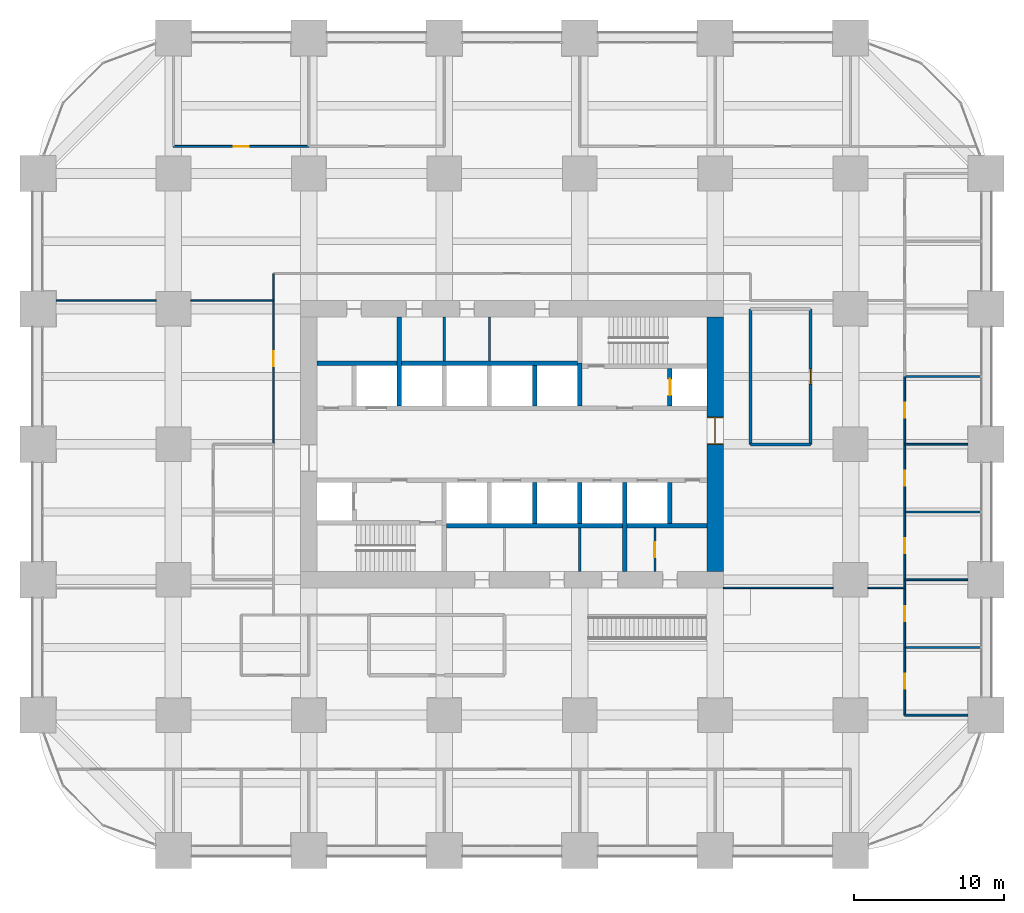
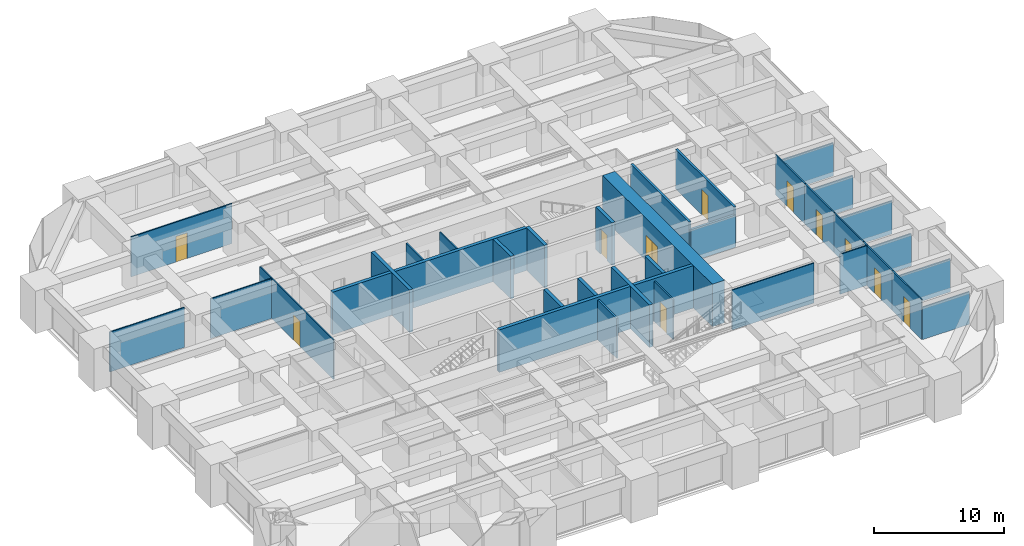
# One storey, part 41 of 45: 35 walls, 11 doors, 11 openings.
"""IFC4 building model written with IfcOpenShell, lengths in metres."""

import ifcopenshell
import ifcopenshell.guid

model = None  # the IFC model being written
_history = None  # IfcOwnerHistory: only IFC2X3 demands one
_inside = {}  # id of a spatial element -> (the spatial element, [elements in it])
_under = {}  # id of a project, library or spatial element -> (it, [spatial elements below it])
_declared = {}  # id of a project -> (the project, [libraries it declares])
_typed = {}  # id of a type object -> (the type object, [elements of that type])
_made_of = {}  # id of a material, layer set ... -> (it, [elements and type objects made of it])


def new_model(schema):
    """Start an empty IFC model of exactly this schema.

    Asked for "IFC4X3", IfcOpenShell would pick the latest addendum, in which some entities
    have other attributes; the version numbers below select the first issue.
    IFC2X3 requires an IfcOwnerHistory on every rooted entity: one is made here for all.
    """
    global model, _history
    if schema == "IFC4X3":
        model = ifcopenshell.file(schema_version=(4, 3, 0, 0))
    else:
        model = ifcopenshell.file(schema=schema)
    _inside.clear()
    _under.clear()
    _declared.clear()
    _typed.clear()
    _made_of.clear()
    _history = None
    if model.schema == "IFC2X3":
        org = make("IfcOrganization", Name="unknown")
        user = make(
            "IfcPersonAndOrganization",
            ThePerson=make("IfcPerson", FamilyName="unknown"),
            TheOrganization=org,
        )
        app = make(
            "IfcApplication",
            ApplicationDeveloper=org,
            Version="unknown",
            ApplicationFullName="unknown",
            ApplicationIdentifier="unknown",
        )
        _history = make(
            "IfcOwnerHistory",
            OwningUser=user,
            OwningApplication=app,
            ChangeAction="ADDED",
            CreationDate=0,
        )
    return model


def make(cls, **values):
    """One entity of the class cls with the attributes given. An attribute that is None is left unset."""
    return model.create_entity(
        cls, **{name: value for name, value in values.items() if value is not None}
    )


def rooted(cls, **values):
    """An entity with a GlobalId (a new one), such as an element, a storey or a relation."""
    return make(cls, GlobalId=ifcopenshell.guid.new(), OwnerHistory=_history, **values)


def si_unit(unit_type, name, prefix=None):
    """IfcSIUnit, for example si_unit("LENGTHUNIT", "METRE", prefix="MILLI")."""
    return make("IfcSIUnit", UnitType=unit_type, Prefix=prefix, Name=name)


def assignment(units):
    """IfcUnitAssignment: the units of a project."""
    return None if units is None else make("IfcUnitAssignment", Units=units)


def point(xyz):
    """IfcCartesianPoint."""
    return None if xyz is None else make("IfcCartesianPoint", Coordinates=xyz)


def direction(xyz):
    """IfcDirection."""
    return None if xyz is None else make("IfcDirection", DirectionRatios=xyz)


def frame(location, z_axis=None, x_axis=None):
    """IfcAxis2Placement3D, a coordinate frame: its origin and axes. An axis left out is left unset."""
    return make(
        "IfcAxis2Placement3D",
        Location=point(location),
        Axis=direction(z_axis),
        RefDirection=direction(x_axis),
    )


def frame_2d(location, x_axis=None):
    """IfcAxis2Placement2D, a coordinate frame in the plane: its origin and x axis."""
    return make(
        "IfcAxis2Placement2D", Location=point(location), RefDirection=direction(x_axis)
    )


def origin():
    """The frame at (0, 0, 0) with its axes left unset."""
    return frame((0.0, 0.0, 0.0))


def place(relative_to, where):
    """IfcLocalPlacement: puts the frame where relative to a parent placement (None: the world)."""
    return make(
        "IfcLocalPlacement", PlacementRelTo=relative_to, RelativePlacement=where
    )


def context(
    kind, dimensions, precision=None, world=None, true_north=None, identifier=None
):
    """IfcGeometricRepresentationContext, for example the 3D "Model" context."""
    return make(
        "IfcGeometricRepresentationContext",
        ContextIdentifier=identifier,
        ContextType=kind,
        CoordinateSpaceDimension=dimensions,
        Precision=precision,
        WorldCoordinateSystem=world,
        TrueNorth=true_north,
    )


def subcontext(parent, identifier, kind, view, scale=None):
    """IfcGeometricRepresentationSubContext, for example "Body" below "Model"."""
    return make(
        "IfcGeometricRepresentationSubContext",
        ContextIdentifier=identifier,
        ContextType=kind,
        ParentContext=parent,
        TargetScale=scale,
        TargetView=view,
    )


def project(units=None, contexts=None):
    """IfcProject with its units and contexts."""
    return rooted(
        "IfcProject",
        Name="project",
        RepresentationContexts=contexts,
        UnitsInContext=assignment(units),
    )


def spatial(cls, under=None, at=None, **own):
    """A site, building, storey or space (cls), placed at a placement, below another one or the project."""
    s = rooted(cls, ObjectPlacement=at, **own)
    if under is not None:
        _under.setdefault(under.id(), (under, []))[1].append(s)
    return s


def profile(cls, at=None, kind="AREA", **sizes):
    """A parametric profile (cls). Its sizes go by their IFC names, for example OverallWidth=200.0."""
    return make(cls, ProfileType=kind, Position=at, **sizes)


def rectangle(**sizes):
    """IfcRectangleProfileDef."""
    return profile("IfcRectangleProfileDef", **sizes)


def extrude(swept, where, along, depth):
    """IfcExtrudedAreaSolid: the profile swept, set in the frame where, extruded along a direction by depth."""
    return make(
        "IfcExtrudedAreaSolid",
        SweptArea=swept,
        Position=where,
        ExtrudedDirection=direction(along),
        Depth=depth,
    )


def shape(context_of_items, identifier, shape_type, items):
    """IfcShapeRepresentation: the items that make up one representation, for example the "Body"."""
    return make(
        "IfcShapeRepresentation",
        ContextOfItems=context_of_items,
        RepresentationIdentifier=identifier,
        RepresentationType=shape_type,
        Items=items,
    )


def material(Name=None, Category=None):
    """IfcMaterial."""
    return make("IfcMaterial", Name=Name, Category=Category)


def layer(
    of_material, thickness, ventilated=None, Name=None, Category=None, Priority=None
):
    """IfcMaterialLayer: one layer of a wall or slab, of a material (None: an air gap)."""
    return make(
        "IfcMaterialLayer",
        Material=of_material,
        LayerThickness=thickness,
        IsVentilated=ventilated,
        Name=Name,
        Category=Category,
        Priority=Priority,
    )


def layer_set(layers, Name=None):
    """IfcMaterialLayerSet."""
    return make("IfcMaterialLayerSet", MaterialLayers=layers, LayerSetName=Name)


def made_of(thing, what):
    """Note that an element or type object is made of a material, layer set ...; save() writes the relation."""
    if what is not None:
        _made_of.setdefault(what.id(), (what, []))[1].append(thing)
    return thing


def type_object(cls, material=None, **own):
    """A type object (cls), such as IfcWallType, which elements share."""
    return made_of(rooted(cls, **own), material)


def element(
    cls,
    number,
    at=None,
    inside=None,
    cuts=None,
    type_object=None,
    material=None,
    context=None,
    identifier="Body",
    shape_type=None,
    held_by="IfcProductDefinitionShape",
    body=None,
    shapes=None,
    **own,
):
    """One element of the class cls, such as IfcWall. Its Tag is "e" and its number.

    at: its placement. inside: the storey or other place that contains it. cuts: it is an
    opening in that element (IfcRelVoidsElement). A single representation is given by context,
    identifier, shape_type and body (its items); several are given by shapes. held_by: the class
    of the entity that holds the representations. save() writes the other relations.
    """
    e = rooted(cls, Tag="e%d" % number, ObjectPlacement=at, **own)
    if body is not None:
        shapes = [shape(context, identifier, shape_type, body)]
    if shapes is not None:
        e.Representation = make(held_by, Representations=shapes)
    if inside is not None:
        _inside.setdefault(inside.id(), (inside, []))[1].append(e)
    if cuts is not None:
        rooted(
            "IfcRelVoidsElement", RelatingBuildingElement=cuts, RelatedOpeningElement=e
        )
    if type_object is not None:
        _typed.setdefault(type_object.id(), (type_object, []))[1].append(e)
    return made_of(e, material)


def fill(opening, filler):
    """IfcRelFillsElement: the door or window that sits in an opening."""
    return rooted(
        "IfcRelFillsElement",
        RelatingOpeningElement=opening,
        RelatedBuildingElement=filler,
    )


def aggregate(whole, parts):
    """IfcRelAggregates: a whole, such as a stair, and the parts it consists of."""
    return rooted("IfcRelAggregates", RelatingObject=whole, RelatedObjects=parts)


def save(model, path):
    """Write the relations noted so far, then the file.

    IfcRelAggregates (storeys below a building ...), IfcRelContainedInSpatialStructure (elements
    in a storey), IfcRelDefinesByType, IfcRelAssociatesMaterial and IfcRelDeclares: one each for
    every whole, place, type object, material and project.
    """
    for whole, parts in _under.values():
        aggregate(whole, parts)
    for where, things in _inside.values():
        rooted(
            "IfcRelContainedInSpatialStructure",
            RelatedElements=things,
            RelatingStructure=where,
        )
    for kind, things in _typed.values():
        rooted("IfcRelDefinesByType", RelatedObjects=things, RelatingType=kind)
    for what, things in _made_of.values():
        rooted("IfcRelAssociatesMaterial", RelatedObjects=things, RelatingMaterial=what)
    for by, libraries in _declared.values():
        rooted("IfcRelDeclares", RelatingContext=by, RelatedDefinitions=libraries)
    model.write(path)


model = new_model("IFC4")

# Units and contexts
model_context = context("Model", 3, precision=1e-05, world=origin(), true_north=direction((0.0, 1.0)))
body_context = subcontext(model_context, "Body", "Model", "MODEL_VIEW")
ifc_project = project(units=[si_unit("LENGTHUNIT", "METRE"), si_unit("AREAUNIT", "SQUARE_METRE"), si_unit("VOLUMEUNIT", "CUBIC_METRE"), si_unit("PLANEANGLEUNIT", "RADIAN"), si_unit("MASSUNIT", "GRAM", prefix="KILO")], contexts=[model_context])

# Site, building, storey
site_placement = place(None, origin())
site = spatial("IfcSite", under=ifc_project, at=site_placement, CompositionType="ELEMENT")
building_placement = place(site_placement, origin())
building = spatial("IfcBuilding", under=site, at=building_placement, Name="Zorevar Civic Tower", CompositionType="ELEMENT")
storey_placement = place(building_placement, frame((0.0, 0.0, 23.800048828125)))
storey = spatial("IfcBuildingStorey", under=building, at=storey_placement, Name="L05", CompositionType="ELEMENT", Elevation=23.800048828125)

# Walls
ifc_material_1 = material(Name="Concrete blockwork", Category="masonry")
ifc_layer_1 = layer(ifc_material_1, 0.199951171875)
ifc_layer_set_1 = layer_set([ifc_layer_1], Name="Blockwork wall 200")
wall_type_1 = type_object("IfcWallType", Name="Blockwork wall 200", PredefinedType="SOLIDWALL", material=ifc_layer_set_1)
wall_1_placement = place(storey_placement, frame((47.35009765625, 27.0, 0.0), z_axis=(0.0, 0.0, 1.0), x_axis=(1.0, 0.0, 0.0)))
element("IfcWall", 1, at=wall_1_placement, inside=storey, type_object=wall_type_1, Name="Blockwork wall 200 L05", PredefinedType="SOLIDWALL", context=body_context, shape_type="SweptSolid", body=[
    extrude(rectangle(XDim=4.0, YDim=0.199951171875, at=frame_2d((2.0, 0.0))), origin(), (0.0, 0.0, 1.0), 3.050048828125),
])
wall_2_placement = place(storey_placement, frame((47.35009765625, 27.0, 0.0), z_axis=(0.0, 0.0, 1.0), x_axis=(0.0, 1.0, 0.0)))
element("IfcWall", 2, at=wall_2_placement, inside=storey, type_object=wall_type_1, Name="Blockwork wall 200 L05", PredefinedType="SOLIDWALL", context=body_context, shape_type="SweptSolid", body=[
    extrude(rectangle(XDim=9.0, YDim=0.199951171875, at=frame_2d((4.5, 0.0))), origin(), (0.0, 0.0, 1.0), 3.75),
])

# Wall, opening, door
wall_3_placement = place(storey_placement, frame((51.35009765625, 27.0, 0.0), z_axis=(0.0, 0.0, 1.0), x_axis=(0.0, 1.0, 0.0)))
wall_3 = element("IfcWall", 3, at=wall_3_placement, inside=storey, type_object=wall_type_1, Name="Blockwork wall 200 L05", PredefinedType="SOLIDWALL", context=body_context, shape_type="SweptSolid", body=[
    extrude(rectangle(XDim=9.0, YDim=0.199951171875, at=frame_2d((4.5, 0.0))), origin(), (0.0, 0.0, 1.0), 3.75),
])
opening_1_placement = place(wall_3_placement, frame((4.0, 0.0, 0.0)))
opening_1 = element("IfcOpeningElement", 4, at=opening_1_placement, cuts=wall_3, Name="Opening L05.38", PredefinedType="OPENING", context=body_context, shape_type="SweptSolid", body=[
    extrude(rectangle(XDim=1.0, YDim=2.39990234375, at=frame_2d((0.5, 1.199951171875))), frame((0.0, 0.10986328125, 0.0), z_axis=(0.0, -1.0, 0.0), x_axis=(1.0, 0.0, 0.0)), (0.0, 0.0, 1.0), 0.219970703125),
])
ifc_material_2 = material(Name="Steel door set", Category="steel")
door_type_1 = type_object("IfcDoorType", Name="Security door SD1 1000x2400", OperationType="SINGLE_SWING_LEFT", PredefinedType="DOOR", material=ifc_material_2)
door_1_placement = place(opening_1_placement, origin())
door_1 = element("IfcDoor", 5, at=door_1_placement, inside=storey, type_object=door_type_1, Name="Door L05 D1", OperationType="SINGLE_SWING_RIGHT", OverallHeight=2.39990234375, OverallWidth=1.0, PredefinedType="DOOR", context=body_context, shape_type="SweptSolid", body=[
    extrude(rectangle(XDim=1.0, YDim=2.39990234375, at=frame_2d((0.5, 1.199951171875))), frame((0.0, 0.03515625, 0.0), z_axis=(0.0, -1.0, 0.0), x_axis=(1.0, 0.0, 0.0)), (0.0, 0.0, 1.0), 0.070068359375),
])
fill(opening_1, door_1)

ifc_material_3 = material(Name="Concrete C50/60", Category="concrete")
ifc_layer_2 = layer(ifc_material_3, 1.10009765625)
ifc_layer_set_2 = layer_set([ifc_layer_2], Name="Core wall 1100")
wall_type_2 = type_object("IfcWallType", Name="Core wall 1100", PredefinedType="SHEAR", material=ifc_layer_set_2)
wall_4_placement = place(storey_placement, frame((45.0, 18.550048828125, 0.0), z_axis=(0.0, 0.0, 1.0), x_axis=(0.0, 1.0, 0.0)))
wall_4 = element("IfcWall", 6, at=wall_4_placement, inside=storey, type_object=wall_type_2, Name="Core wall E L05", PredefinedType="SHEAR", context=body_context, shape_type="SweptSolid", body=[
    extrude(rectangle(XDim=16.89990234375, YDim=1.10009765625, at=frame_2d((8.449951171875, 0.0))), origin(), (0.0, 0.0, 1.0), 4.0),
])
opening_2_placement = place(wall_4_placement, frame((8.449951171875, 0.0, 0.0)))
opening_2 = element("IfcOpeningElement", 7, at=opening_2_placement, cuts=wall_4, Name="Opening L05.02", PredefinedType="OPENING", context=body_context, shape_type="SweptSolid", body=[
    extrude(rectangle(XDim=1.800048828125, YDim=2.39990234375, at=frame_2d((0.89990234375, 1.199951171875))), frame((0.0, 0.56005859375, 0.0), z_axis=(0.0, -1.0, 0.0), x_axis=(1.0, 0.0, 0.0)), (0.0, 0.0, 1.0), 1.1201171875),
])
ifc_material_4 = material(Name="Steel door set", Category="steel")
door_type_2 = type_object("IfcDoorType", Name="Fire door FD2 1800x2400", OperationType="DOUBLE_DOOR_DOUBLE_SWING", PredefinedType="DOOR", material=ifc_material_4)
door_2_placement = place(opening_2_placement, origin())
door_2 = element("IfcDoor", 8, at=door_2_placement, inside=storey, type_object=door_type_2, Name="Door L05 01", OperationType="DOUBLE_DOOR_DOUBLE_SWING", OverallHeight=2.39990234375, OverallWidth=1.800048828125, PredefinedType="DOOR", context=body_context, shape_type="SweptSolid", body=[
    extrude(rectangle(XDim=1.800048828125, YDim=2.39990234375, at=frame_2d((0.89990234375, 1.199951171875))), frame((0.0, 0.030029296875, 0.0), z_axis=(0.0, -1.0, 0.0), x_axis=(1.0, 0.0, 0.0)), (0.0, 0.0, 1.0), 0.06005859375),
    extrude(rectangle(XDim=0.04, YDim=2.39990234375, at=frame_2d((0.02001953125, 1.199951171875))), frame((0.0, 0.5498046875, 0.0), z_axis=(0.0, -1.0, 0.0), x_axis=(1.0, 0.0, 0.0)), (0.0, 0.0, 1.0), 1.099609375),
    extrude(rectangle(XDim=0.04, YDim=2.39990234375, at=frame_2d((1.780029296875, 1.199951171875))), frame((0.0, 0.5498046875, 0.0), z_axis=(0.0, -1.0, 0.0), x_axis=(1.0, 0.0, 0.0)), (0.0, 0.0, 1.0), 1.099609375),
    extrude(rectangle(XDim=1.800048828125, YDim=0.04, at=frame_2d((0.89990234375, 2.3798828125))), frame((0.0, 0.5498046875, 0.0), z_axis=(0.0, -1.0, 0.0), x_axis=(1.0, 0.0, 0.0)), (0.0, 0.0, 1.0), 1.099609375),
])
fill(opening_2, door_2)

# Walls
ifc_material_5 = material(Name="Laminated glass in black aluminium frame", Category="aluminium")
ifc_layer_3 = layer(ifc_material_5, 0.10009765625)
ifc_layer_set_3 = layer_set([ifc_layer_3], Name="Glazed partition 100")
wall_type_3 = type_object("IfcWallType", Name="Glazed partition 100", PredefinedType="PARTITIONING", material=ifc_layer_set_3)
wall_5_placement = place(storey_placement, frame((45.550048828125, 17.449951171875, 0.0), z_axis=(0.0, 0.0, 1.0), x_axis=(1.0, 0.0, 0.0)))
element("IfcWall", 9, at=wall_5_placement, inside=storey, type_object=wall_type_3, Name="Glazed partition 100 L05", PredefinedType="PARTITIONING", context=body_context, shape_type="SweptSolid", body=[
    extrude(rectangle(XDim=7.300048828125, YDim=0.10009765625, at=frame_2d((3.64990234375, 0.0))), origin(), (0.0, 0.0, 1.0), 3.75),
])
wall_6_placement = place(storey_placement, frame((55.14990234375, 17.449951171875, 0.0), z_axis=(0.0, 0.0, 1.0), x_axis=(1.0, 0.0, 0.0)))
element("IfcWall", 10, at=wall_6_placement, inside=storey, type_object=wall_type_3, Name="Glazed partition 100 L05", PredefinedType="PARTITIONING", context=body_context, shape_type="SweptSolid", body=[
    extrude(rectangle(XDim=2.460205078125, YDim=0.10009765625, at=frame_2d((1.22998046875, 0.0))), origin(), (0.0, 0.0, 1.0), 3.75),
])
wall_7_placement = place(storey_placement, frame((1.199951171875, 36.550048828125, 0.0), z_axis=(0.0, 0.0, 1.0), x_axis=(1.0, 0.0, 0.0)))
element("IfcWall", 11, at=wall_7_placement, inside=storey, type_object=wall_type_3, Name="Glazed partition 100 L05", PredefinedType="PARTITIONING", context=body_context, shape_type="SweptSolid", body=[
    extrude(rectangle(XDim=6.650146484375, YDim=0.10009765625, at=frame_2d((3.3251953125, 0.0))), origin(), (0.0, 0.0, 1.0), 3.75),
])
wall_8_placement = place(storey_placement, frame((10.14990234375, 36.550048828125, 0.0), z_axis=(0.0, 0.0, 1.0), x_axis=(1.0, 0.0, 0.0)))
element("IfcWall", 12, at=wall_8_placement, inside=storey, type_object=wall_type_3, Name="Glazed partition 100 L05", PredefinedType="PARTITIONING", context=body_context, shape_type="SweptSolid", body=[
    extrude(rectangle(XDim=5.5, YDim=0.10009765625, at=frame_2d((2.75, 0.0))), origin(), (0.0, 0.0, 1.0), 3.75),
])

# Wall, opening, door
wall_9_placement = place(storey_placement, frame((15.64990234375, 27.0, 0.0), z_axis=(0.0, 0.0, 1.0), x_axis=(0.0, 1.0, 0.0)))
wall_9 = element("IfcWall", 13, at=wall_9_placement, inside=storey, type_object=wall_type_3, Name="Glazed partition 100 L05", PredefinedType="PARTITIONING", context=body_context, shape_type="SweptSolid", body=[
    extrude(rectangle(XDim=11.35009765625, YDim=0.10009765625, at=frame_2d((5.675048828125, 0.0))), origin(), (0.0, 0.0, 1.0), 3.75),
])
opening_3_placement = place(wall_9_placement, frame((5.175048828125, 0.0, 0.0)))
opening_3 = element("IfcOpeningElement", 14, at=opening_3_placement, cuts=wall_9, Name="Opening L05.37", PredefinedType="OPENING", context=body_context, shape_type="SweptSolid", body=[
    extrude(rectangle(XDim=1.0, YDim=2.39990234375, at=frame_2d((0.5, 1.199951171875))), frame((0.0, 0.06005859375, 0.0), z_axis=(0.0, -1.0, 0.0), x_axis=(1.0, 0.0, 0.0)), (0.0, 0.0, 1.0), 0.1201171875),
])
ifc_material_6 = material(Name="Timber door set", Category="wood")
door_type_3 = type_object("IfcDoorType", Name="Glazed door GD1 1000x2400", OperationType="SINGLE_SWING_LEFT", PredefinedType="DOOR", material=ifc_material_6)
door_3_placement = place(opening_3_placement, origin())
door_3 = element("IfcDoor", 15, at=door_3_placement, inside=storey, type_object=door_type_3, Name="Door L05 D1", OperationType="SINGLE_SWING_LEFT", OverallHeight=2.39990234375, OverallWidth=1.0, PredefinedType="DOOR", context=body_context, shape_type="SweptSolid", body=[
    extrude(rectangle(XDim=1.0, YDim=2.39990234375, at=frame_2d((0.5, 1.199951171875))), frame((0.0, 0.02001953125, 0.0), z_axis=(0.0, -1.0, 0.0), x_axis=(1.0, 0.0, 0.0)), (0.0, 0.0, 1.0), 0.0400390625),
])
fill(opening_3, door_3)

ifc_material_7 = material(Name="Concrete C40/50", Category="concrete")
ifc_layer_4 = layer(ifc_material_7, 0.300048828125)
ifc_layer_set_4 = layer_set([ifc_layer_4], Name="Inner core wall 300")
wall_type_4 = type_object("IfcWallType", Name="Inner core wall 300", PredefinedType="SHEAR", material=ifc_layer_set_4)
wall_10_placement = place(storey_placement, frame((42.0, 29.550048828125, 0.0), z_axis=(0.0, 0.0, 1.0), x_axis=(0.0, 1.0, 0.0)))
wall_10 = element("IfcWall", 16, at=wall_10_placement, inside=storey, type_object=wall_type_4, Name="Inner core wall N02 L05", PredefinedType="SHEAR", context=body_context, shape_type="SweptSolid", body=[
    extrude(rectangle(XDim=2.5, YDim=0.300048828125, at=frame_2d((1.25, 0.0))), origin(), (0.0, 0.0, 1.0), 4.0),
])
opening_4_placement = place(wall_10_placement, frame((0.699951171875, 0.0, 0.0)))
opening_4 = element("IfcOpeningElement", 17, at=opening_4_placement, cuts=wall_10, Name="Opening L05.FL2", PredefinedType="OPENING", context=body_context, shape_type="SweptSolid", body=[
    extrude(rectangle(XDim=1.10009765625, YDim=2.39990234375, at=frame_2d((0.550048828125, 1.199951171875))), frame((0.0, 0.159912109375, 0.0), z_axis=(0.0, -1.0, 0.0), x_axis=(1.0, 0.0, 0.0)), (0.0, 0.0, 1.0), 0.320068359375),
])
ifc_material_8 = material(Name="Steel door set", Category="steel")
door_type_4 = type_object("IfcDoorType", Name="Firefighting lift landing door LD3 1100x2400", OperationType="DOUBLE_DOOR_SLIDING", PredefinedType="DOOR", material=ifc_material_8)
door_4_placement = place(opening_4_placement, origin())
door_4 = element("IfcDoor", 18, at=door_4_placement, inside=storey, type_object=door_type_4, Name="Landing door FL2 L05", OperationType="DOUBLE_DOOR_SLIDING", OverallHeight=2.39990234375, OverallWidth=1.10009765625, PredefinedType="DOOR", context=body_context, shape_type="SweptSolid", body=[
    extrude(rectangle(XDim=1.10009765625, YDim=2.39990234375, at=frame_2d((0.550048828125, 1.199951171875))), frame((0.0, 0.030029296875, 0.0), z_axis=(0.0, -1.0, 0.0), x_axis=(1.0, 0.0, 0.0)), (0.0, 0.0, 1.0), 0.06005859375),
])
fill(opening_4, door_4)

# Walls
for number, where, z_axis, x_axis, name in (
    (19, (27.14990234375, 21.60009765625, 0.0), (0.0, 0.0, 1.0), (1.0, 0.0, 0.0), "Inner core wall S04 L05"),
    (20, (18.550048828125, 32.39990234375, 0.0), (0.0, 0.0, 1.0), (1.0, 0.0, 0.0), "Inner core wall N04 L05"),
):
    element("IfcWall", number, at=place(storey_placement, frame(where, z_axis=z_axis, x_axis=x_axis)), inside=storey, type_object=wall_type_4, Name=name, PredefinedType="SHEAR", context=body_context, shape_type="SweptSolid", body=[
        extrude(rectangle(XDim=17.300048828125, YDim=0.300048828125, at=frame_2d((8.64990234375, 0.0))), origin(), (0.0, 0.0, 1.0), 4.0),
    ])
for number, where, z_axis, x_axis, name in (
    (21, (33.0, 29.550048828125, 0.0), (0.0, 0.0, 1.0), (0.0, 1.0, 0.0), "Inner core wall N05 L05"),
    (22, (33.0, 21.75, 0.0), (0.0, 0.0, 1.0), (0.0, 1.0, 0.0), "Inner core wall S06 L05"),
    (23, (36.0, 21.75, 0.0), (0.0, 0.0, 1.0), (0.0, 1.0, 0.0), "Inner core wall S07 L05"),
):
    element("IfcWall", number, at=place(storey_placement, frame(where, z_axis=z_axis, x_axis=x_axis)), inside=storey, type_object=wall_type_4, Name=name, PredefinedType="SHEAR", context=body_context, shape_type="SweptSolid", body=[
        extrude(rectangle(XDim=2.699951171875, YDim=0.300048828125, at=frame_2d((1.35009765625, 0.0))), origin(), (0.0, 0.0, 1.0), 4.0),
    ])
for number, where, z_axis, x_axis, name in (
    (24, (39.0, 18.550048828125, 0.0), (0.0, 0.0, 1.0), (0.0, 1.0, 0.0), "Inner core wall S08 L05"),
    (25, (24.0, 29.550048828125, 0.0), (0.0, 0.0, 1.0), (0.0, 1.0, 0.0), "Inner core wall N08 L05"),
):
    element("IfcWall", number, at=place(storey_placement, frame(where, z_axis=z_axis, x_axis=x_axis)), inside=storey, type_object=wall_type_4, Name=name, PredefinedType="SHEAR", context=body_context, shape_type="SweptSolid", body=[
        extrude(rectangle(XDim=5.89990234375, YDim=0.300048828125, at=frame_2d((2.949951171875, 0.0))), origin(), (0.0, 0.0, 1.0), 4.0),
    ])
wall_11_placement = place(storey_placement, frame((42.0, 21.75, 0.0), z_axis=(0.0, 0.0, 1.0), x_axis=(0.0, 1.0, 0.0)))
element("IfcWall", 26, at=wall_11_placement, inside=storey, type_object=wall_type_4, Name="Inner core wall S09 L05", PredefinedType="SHEAR", context=body_context, shape_type="SweptSolid", body=[
    extrude(rectangle(XDim=2.699951171875, YDim=0.300048828125, at=frame_2d((1.35009765625, 0.0))), origin(), (0.0, 0.0, 1.0), 4.0),
])
wall_12_placement = place(storey_placement, frame((36.0, 29.550048828125, 0.0), z_axis=(0.0, 0.0, 1.0), x_axis=(0.0, 1.0, 0.0)))
element("IfcWall", 27, at=wall_12_placement, inside=storey, type_object=wall_type_4, Name="Inner core wall N10 L05", PredefinedType="SHEAR", context=body_context, shape_type="SweptSolid", body=[
    extrude(rectangle(XDim=2.849853515625, YDim=0.300048828125, at=frame_2d((1.4248046875, 0.0))), origin(), (0.0, 0.0, 1.0), 4.0),
])
ifc_material_9 = material(Name="Gypsum board on steel studs", Category="steel")
ifc_layer_5 = layer(ifc_material_9, 0.1201171875)
ifc_layer_set_5 = layer_set([ifc_layer_5], Name="Partition 120")
wall_type_5 = type_object("IfcWallType", Name="Partition 120", PredefinedType="PARTITIONING", material=ifc_layer_set_5)
wall_13_placement = place(storey_placement, frame((57.60009765625, 9.0, 0.0), z_axis=(0.0, 0.0, 1.0), x_axis=(1.0, 0.0, 0.0)))
element("IfcWall", 28, at=wall_13_placement, inside=storey, type_object=wall_type_5, Name="Partition 120 L05", PredefinedType="PARTITIONING", context=body_context, shape_type="SweptSolid", body=[
    extrude(rectangle(XDim=4.199951171875, YDim=0.1201171875, at=frame_2d((2.10009765625, 0.0))), origin(), (0.0, 0.0, 1.0), 3.050048828125),
])
wall_14_placement = place(storey_placement, frame((57.60009765625, 13.5, 0.0), z_axis=(0.0, 0.0, 1.0), x_axis=(1.0, 0.0, 0.0)))
element("IfcWall", 29, at=wall_14_placement, inside=storey, type_object=wall_type_5, Name="Partition 120 L05", PredefinedType="PARTITIONING", context=body_context, shape_type="SweptSolid", body=[
    extrude(rectangle(XDim=5.08984375, YDim=0.1201171875, at=frame_2d((2.544921875, 0.0))), origin(), (0.0, 0.0, 1.0), 3.099853515625),
])
wall_15_placement = place(storey_placement, frame((57.60009765625, 18.0, 0.0), z_axis=(0.0, 0.0, 1.0), x_axis=(1.0, 0.0, 0.0)))
element("IfcWall", 30, at=wall_15_placement, inside=storey, type_object=wall_type_5, Name="Partition 120 L05", PredefinedType="PARTITIONING", context=body_context, shape_type="SweptSolid", body=[
    extrude(rectangle(XDim=4.199951171875, YDim=0.1201171875, at=frame_2d((2.10009765625, 0.0))), origin(), (0.0, 0.0, 1.0), 3.050048828125),
])
wall_16_placement = place(storey_placement, frame((57.60009765625, 22.5, 0.0), z_axis=(0.0, 0.0, 1.0), x_axis=(1.0, 0.0, 0.0)))
element("IfcWall", 31, at=wall_16_placement, inside=storey, type_object=wall_type_5, Name="Partition 120 L05", PredefinedType="PARTITIONING", context=body_context, shape_type="SweptSolid", body=[
    extrude(rectangle(XDim=5.08984375, YDim=0.1201171875, at=frame_2d((2.544921875, 0.0))), origin(), (0.0, 0.0, 1.0), 3.099853515625),
])
wall_17_placement = place(storey_placement, frame((57.60009765625, 27.0, 0.0), z_axis=(0.0, 0.0, 1.0), x_axis=(1.0, 0.0, 0.0)))
element("IfcWall", 32, at=wall_17_placement, inside=storey, type_object=wall_type_5, Name="Partition 120 L05", PredefinedType="PARTITIONING", context=body_context, shape_type="SweptSolid", body=[
    extrude(rectangle(XDim=4.199951171875, YDim=0.1201171875, at=frame_2d((2.10009765625, 0.0))), origin(), (0.0, 0.0, 1.0), 3.050048828125),
])
wall_18_placement = place(storey_placement, frame((57.60009765625, 31.5, 0.0), z_axis=(0.0, 0.0, 1.0), x_axis=(1.0, 0.0, 0.0)))
element("IfcWall", 33, at=wall_18_placement, inside=storey, type_object=wall_type_5, Name="Partition 120 L05", PredefinedType="PARTITIONING", context=body_context, shape_type="SweptSolid", body=[
    extrude(rectangle(XDim=5.08984375, YDim=0.1201171875, at=frame_2d((2.544921875, 0.0))), origin(), (0.0, 0.0, 1.0), 3.099853515625),
])

# Wall, opening, door
wall_19_placement = place(storey_placement, frame((9.0, 46.800048828125, 0.0), z_axis=(0.0, 0.0, 1.0), x_axis=(1.0, 0.0, 0.0)))
wall_19 = element("IfcWall", 34, at=wall_19_placement, inside=storey, type_object=wall_type_5, Name="Partition 120 L05", PredefinedType="PARTITIONING", context=body_context, shape_type="SweptSolid", body=[
    extrude(rectangle(XDim=9.0, YDim=0.1201171875, at=frame_2d((4.5, 0.0))), origin(), (0.0, 0.0, 1.0), 3.75),
])
opening_5_placement = place(wall_19_placement, frame((4.0, 0.0, 0.0)))
opening_5 = element("IfcOpeningElement", 35, at=opening_5_placement, cuts=wall_19, Name="Opening L05.30", PredefinedType="OPENING", context=body_context, shape_type="SweptSolid", body=[
    extrude(rectangle(XDim=1.0, YDim=2.39990234375, at=frame_2d((0.5, 1.199951171875))), frame((0.0, 0.070068359375, 0.0), z_axis=(0.0, -1.0, 0.0), x_axis=(1.0, 0.0, 0.0)), (0.0, 0.0, 1.0), 0.14013671875),
])
ifc_material_10 = material(Name="Timber door set", Category="wood")
door_type_5 = type_object("IfcDoorType", Name="Door D1 1000x2400", OperationType="SINGLE_SWING_LEFT", PredefinedType="DOOR", material=ifc_material_10)
door_5_placement = place(opening_5_placement, origin())
door_5 = element("IfcDoor", 36, at=door_5_placement, inside=storey, type_object=door_type_5, Name="Door L05 D1", OperationType="SINGLE_SWING_LEFT", OverallHeight=2.39990234375, OverallWidth=1.0, PredefinedType="DOOR", context=body_context, shape_type="SweptSolid", body=[
    extrude(rectangle(XDim=1.0, YDim=2.39990234375, at=frame_2d((0.5, 1.199951171875))), frame((0.0, 0.02490234375, 0.0), z_axis=(0.0, -1.0, 0.0), x_axis=(1.0, 0.0, 0.0)), (0.0, 0.0, 1.0), 0.050048828125),
])
fill(opening_5, door_5)

wall_20_placement = place(storey_placement, frame((57.60009765625, 9.0, 0.0), z_axis=(0.0, 0.0, 1.0), x_axis=(0.0, 1.0, 0.0)))
wall_20 = element("IfcWall", 37, at=wall_20_placement, inside=storey, type_object=wall_type_5, Name="Partition 120 L05", PredefinedType="PARTITIONING", context=body_context, shape_type="SweptSolid", body=[
    extrude(rectangle(XDim=4.5, YDim=0.1201171875, at=frame_2d((2.25, 0.0))), origin(), (0.0, 0.0, 1.0), 3.75),
])
opening_6_placement = place(wall_20_placement, frame((1.75, 0.0, 0.0)))
opening_6 = element("IfcOpeningElement", 38, at=opening_6_placement, cuts=wall_20, Name="Opening L05.39", PredefinedType="OPENING", context=body_context, shape_type="SweptSolid", body=[
    extrude(rectangle(XDim=1.0, YDim=2.39990234375, at=frame_2d((0.5, 1.199951171875))), frame((0.0, 0.070068359375, 0.0), z_axis=(0.0, -1.0, 0.0), x_axis=(1.0, 0.0, 0.0)), (0.0, 0.0, 1.0), 0.14013671875),
])
door_6_placement = place(opening_6_placement, origin())
door_6 = element("IfcDoor", 39, at=door_6_placement, inside=storey, type_object=door_type_5, Name="Door L05 D1", OperationType="SINGLE_SWING_LEFT", OverallHeight=2.39990234375, OverallWidth=1.0, PredefinedType="DOOR", context=body_context, shape_type="SweptSolid", body=[
    extrude(rectangle(XDim=1.0, YDim=2.39990234375, at=frame_2d((0.5, 1.199951171875))), frame((0.0, 0.02490234375, 0.0), z_axis=(0.0, -1.0, 0.0), x_axis=(1.0, 0.0, 0.0)), (0.0, 0.0, 1.0), 0.050048828125),
])
fill(opening_6, door_6)

wall_21_placement = place(storey_placement, frame((57.60009765625, 13.5, 0.0), z_axis=(0.0, 0.0, 1.0), x_axis=(0.0, 1.0, 0.0)))
wall_21 = element("IfcWall", 40, at=wall_21_placement, inside=storey, type_object=wall_type_5, Name="Partition 120 L05", PredefinedType="PARTITIONING", context=body_context, shape_type="SweptSolid", body=[
    extrude(rectangle(XDim=4.5, YDim=0.1201171875, at=frame_2d((2.25, 0.0))), origin(), (0.0, 0.0, 1.0), 3.75),
])
opening_7_placement = place(wall_21_placement, frame((1.75, 0.0, 0.0)))
opening_7 = element("IfcOpeningElement", 41, at=opening_7_placement, cuts=wall_21, Name="Opening L05.40", PredefinedType="OPENING", context=body_context, shape_type="SweptSolid", body=[
    extrude(rectangle(XDim=1.0, YDim=2.39990234375, at=frame_2d((0.5, 1.199951171875))), frame((0.0, 0.070068359375, 0.0), z_axis=(0.0, -1.0, 0.0), x_axis=(1.0, 0.0, 0.0)), (0.0, 0.0, 1.0), 0.14013671875),
])
door_7_placement = place(opening_7_placement, origin())
door_7 = element("IfcDoor", 42, at=door_7_placement, inside=storey, type_object=door_type_5, Name="Door L05 D1", OperationType="SINGLE_SWING_LEFT", OverallHeight=2.39990234375, OverallWidth=1.0, PredefinedType="DOOR", context=body_context, shape_type="SweptSolid", body=[
    extrude(rectangle(XDim=1.0, YDim=2.39990234375, at=frame_2d((0.5, 1.199951171875))), frame((0.0, 0.02490234375, 0.0), z_axis=(0.0, -1.0, 0.0), x_axis=(1.0, 0.0, 0.0)), (0.0, 0.0, 1.0), 0.050048828125),
])
fill(opening_7, door_7)

wall_22_placement = place(storey_placement, frame((57.60009765625, 18.0, 0.0), z_axis=(0.0, 0.0, 1.0), x_axis=(0.0, 1.0, 0.0)))
wall_22 = element("IfcWall", 43, at=wall_22_placement, inside=storey, type_object=wall_type_5, Name="Partition 120 L05", PredefinedType="PARTITIONING", context=body_context, shape_type="SweptSolid", body=[
    extrude(rectangle(XDim=4.5, YDim=0.1201171875, at=frame_2d((2.25, 0.0))), origin(), (0.0, 0.0, 1.0), 3.75),
])
opening_8_placement = place(wall_22_placement, frame((1.75, 0.0, 0.0)))
opening_8 = element("IfcOpeningElement", 44, at=opening_8_placement, cuts=wall_22, Name="Opening L05.41", PredefinedType="OPENING", context=body_context, shape_type="SweptSolid", body=[
    extrude(rectangle(XDim=1.0, YDim=2.39990234375, at=frame_2d((0.5, 1.199951171875))), frame((0.0, 0.070068359375, 0.0), z_axis=(0.0, -1.0, 0.0), x_axis=(1.0, 0.0, 0.0)), (0.0, 0.0, 1.0), 0.14013671875),
])
door_8_placement = place(opening_8_placement, origin())
door_8 = element("IfcDoor", 45, at=door_8_placement, inside=storey, type_object=door_type_5, Name="Door L05 D1", OperationType="SINGLE_SWING_RIGHT", OverallHeight=2.39990234375, OverallWidth=1.0, PredefinedType="DOOR", context=body_context, shape_type="SweptSolid", body=[
    extrude(rectangle(XDim=1.0, YDim=2.39990234375, at=frame_2d((0.5, 1.199951171875))), frame((0.0, 0.02490234375, 0.0), z_axis=(0.0, -1.0, 0.0), x_axis=(1.0, 0.0, 0.0)), (0.0, 0.0, 1.0), 0.050048828125),
])
fill(opening_8, door_8)

wall_23_placement = place(storey_placement, frame((57.60009765625, 22.5, 0.0), z_axis=(0.0, 0.0, 1.0), x_axis=(0.0, 1.0, 0.0)))
wall_23 = element("IfcWall", 46, at=wall_23_placement, inside=storey, type_object=wall_type_5, Name="Partition 120 L05", PredefinedType="PARTITIONING", context=body_context, shape_type="SweptSolid", body=[
    extrude(rectangle(XDim=4.5, YDim=0.1201171875, at=frame_2d((2.25, 0.0))), origin(), (0.0, 0.0, 1.0), 3.75),
])
opening_9_placement = place(wall_23_placement, frame((1.75, 0.0, 0.0)))
opening_9 = element("IfcOpeningElement", 47, at=opening_9_placement, cuts=wall_23, Name="Opening L05.42", PredefinedType="OPENING", context=body_context, shape_type="SweptSolid", body=[
    extrude(rectangle(XDim=1.0, YDim=2.39990234375, at=frame_2d((0.5, 1.199951171875))), frame((0.0, 0.070068359375, 0.0), z_axis=(0.0, -1.0, 0.0), x_axis=(1.0, 0.0, 0.0)), (0.0, 0.0, 1.0), 0.14013671875),
])
door_9_placement = place(opening_9_placement, origin())
door_9 = element("IfcDoor", 48, at=door_9_placement, inside=storey, type_object=door_type_5, Name="Door L05 D1", OperationType="SINGLE_SWING_RIGHT", OverallHeight=2.39990234375, OverallWidth=1.0, PredefinedType="DOOR", context=body_context, shape_type="SweptSolid", body=[
    extrude(rectangle(XDim=1.0, YDim=2.39990234375, at=frame_2d((0.5, 1.199951171875))), frame((0.0, 0.02490234375, 0.0), z_axis=(0.0, -1.0, 0.0), x_axis=(1.0, 0.0, 0.0)), (0.0, 0.0, 1.0), 0.050048828125),
])
fill(opening_9, door_9)

wall_24_placement = place(storey_placement, frame((57.60009765625, 27.0, 0.0), z_axis=(0.0, 0.0, 1.0), x_axis=(0.0, 1.0, 0.0)))
wall_24 = element("IfcWall", 49, at=wall_24_placement, inside=storey, type_object=wall_type_5, Name="Partition 120 L05", PredefinedType="PARTITIONING", context=body_context, shape_type="SweptSolid", body=[
    extrude(rectangle(XDim=4.5, YDim=0.1201171875, at=frame_2d((2.25, 0.0))), origin(), (0.0, 0.0, 1.0), 3.75),
])
opening_10_placement = place(wall_24_placement, frame((1.75, 0.0, 0.0)))
opening_10 = element("IfcOpeningElement", 50, at=opening_10_placement, cuts=wall_24, Name="Opening L05.43", PredefinedType="OPENING", context=body_context, shape_type="SweptSolid", body=[
    extrude(rectangle(XDim=1.0, YDim=2.39990234375, at=frame_2d((0.5, 1.199951171875))), frame((0.0, 0.070068359375, 0.0), z_axis=(0.0, -1.0, 0.0), x_axis=(1.0, 0.0, 0.0)), (0.0, 0.0, 1.0), 0.14013671875),
])
door_10_placement = place(opening_10_placement, origin())
door_10 = element("IfcDoor", 51, at=door_10_placement, inside=storey, type_object=door_type_5, Name="Door L05 D1", OperationType="SINGLE_SWING_LEFT", OverallHeight=2.39990234375, OverallWidth=1.0, PredefinedType="DOOR", context=body_context, shape_type="SweptSolid", body=[
    extrude(rectangle(XDim=1.0, YDim=2.39990234375, at=frame_2d((0.5, 1.199951171875))), frame((0.0, 0.02490234375, 0.0), z_axis=(0.0, -1.0, 0.0), x_axis=(1.0, 0.0, 0.0)), (0.0, 0.0, 1.0), 0.050048828125),
])
fill(opening_10, door_10)

# Wall
wall_25_placement = place(storey_placement, frame((30.0, 32.550048828125, 0.0), z_axis=(0.0, 0.0, 1.0), x_axis=(0.0, 1.0, 0.0)))
element("IfcWall", 52, at=wall_25_placement, inside=storey, type_object=wall_type_5, Name="Partition L05", PredefinedType="PARTITIONING", context=body_context, shape_type="SweptSolid", body=[
    extrude(rectangle(XDim=2.89990234375, YDim=0.1201171875, at=frame_2d((1.449951171875, 0.0))), origin(), (0.0, 0.0, 1.0), 3.75),
])

# Wall, opening, door
wall_26_placement = place(storey_placement, frame((41.0, 18.550048828125, 0.0), z_axis=(0.0, 0.0, 1.0), x_axis=(0.0, 1.0, 0.0)))
wall_26 = element("IfcWall", 53, at=wall_26_placement, inside=storey, type_object=wall_type_5, Name="Partition L05", PredefinedType="PARTITIONING", context=body_context, shape_type="SweptSolid", body=[
    extrude(rectangle(XDim=2.89990234375, YDim=0.1201171875, at=frame_2d((1.449951171875, 0.0))), origin(), (0.0, 0.0, 1.0), 3.75),
])
opening_11_placement = place(wall_26_placement, frame((0.949951171875, 0.0, 0.0)))
opening_11 = element("IfcOpeningElement", 54, at=opening_11_placement, cuts=wall_26, Name="Opening L05.47", PredefinedType="OPENING", context=body_context, shape_type="SweptSolid", body=[
    extrude(rectangle(XDim=1.0, YDim=2.39990234375, at=frame_2d((0.5, 1.199951171875))), frame((0.0, 0.070068359375, 0.0), z_axis=(0.0, -1.0, 0.0), x_axis=(1.0, 0.0, 0.0)), (0.0, 0.0, 1.0), 0.14013671875),
])
ifc_material_11 = material(Name="Steel door set", Category="steel")
door_type_6 = type_object("IfcDoorType", Name="Fire door FD1 1000x2400", OperationType="SINGLE_SWING_LEFT", PredefinedType="DOOR", material=ifc_material_11)
door_11_placement = place(opening_11_placement, origin())
door_11 = element("IfcDoor", 55, at=door_11_placement, inside=storey, type_object=door_type_6, Name="Door L05 ES", OperationType="SINGLE_SWING_LEFT", OverallHeight=2.39990234375, OverallWidth=1.0, PredefinedType="DOOR", context=body_context, shape_type="SweptSolid", body=[
    extrude(rectangle(XDim=1.0, YDim=2.39990234375, at=frame_2d((0.5, 1.199951171875))), frame((0.0, 0.030029296875, 0.0), z_axis=(0.0, -1.0, 0.0), x_axis=(1.0, 0.0, 0.0)), (0.0, 0.0, 1.0), 0.06005859375),
])
fill(opening_11, door_11)

# Walls
ifc_material_12 = material(Name="Gypsum board on steel studs, moisture resistant", Category="steel")
ifc_layer_6 = layer(ifc_material_12, 0.14990234375)
ifc_layer_set_6 = layer_set([ifc_layer_6], Name="WC partition 150")
wall_type_6 = type_object("IfcWallType", Name="WC partition 150", PredefinedType="PARTITIONING", material=ifc_layer_set_6)
for number, where, z_axis, x_axis, name in (
    (56, (36.0, 18.550048828125, 0.0), (0.0, 0.0, 1.0), (0.0, 1.0, 0.0), "WC partition L05"),
    (57, (27.0, 32.550048828125, 0.0), (0.0, 0.0, 1.0), (0.0, 1.0, 0.0), "WC partition L05"),
):
    element("IfcWall", number, at=place(storey_placement, frame(where, z_axis=z_axis, x_axis=x_axis)), inside=storey, type_object=wall_type_6, Name=name, PredefinedType="PARTITIONING", context=body_context, shape_type="SweptSolid", body=[
        extrude(rectangle(XDim=2.89990234375, YDim=0.14990234375, at=frame_2d((1.449951171875, 0.0))), origin(), (0.0, 0.0, 1.0), 3.75),
    ])

save(model, "model.ifc")
